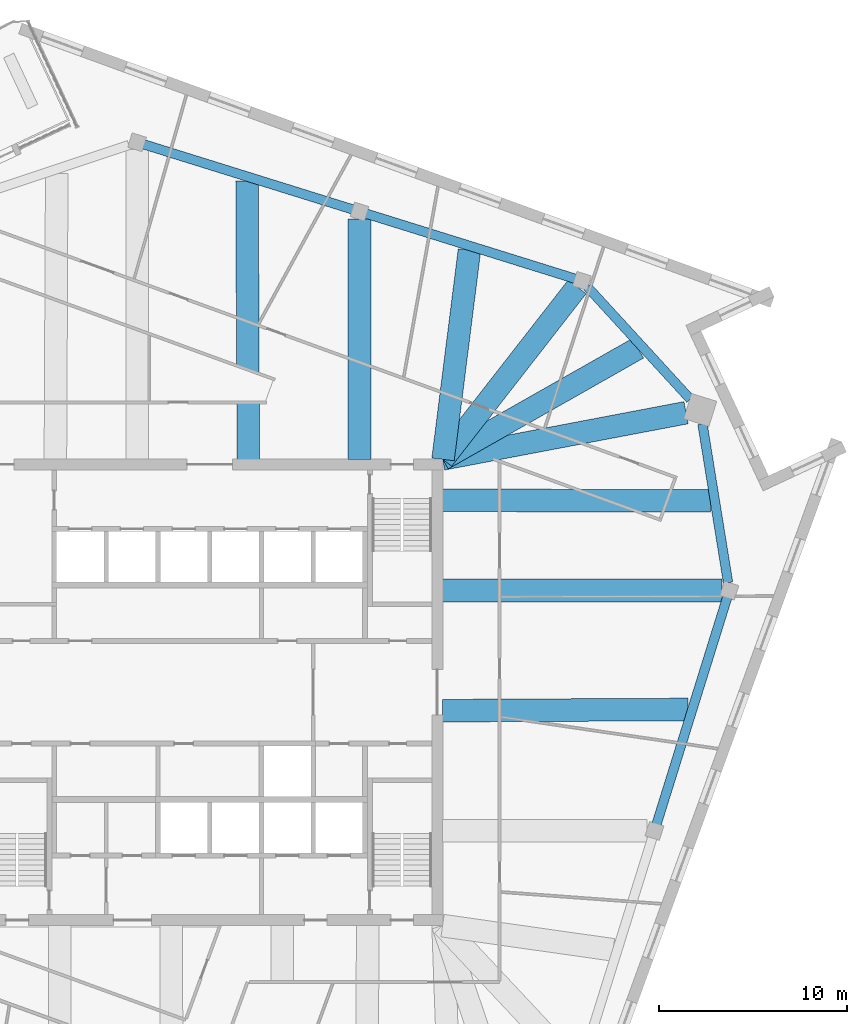
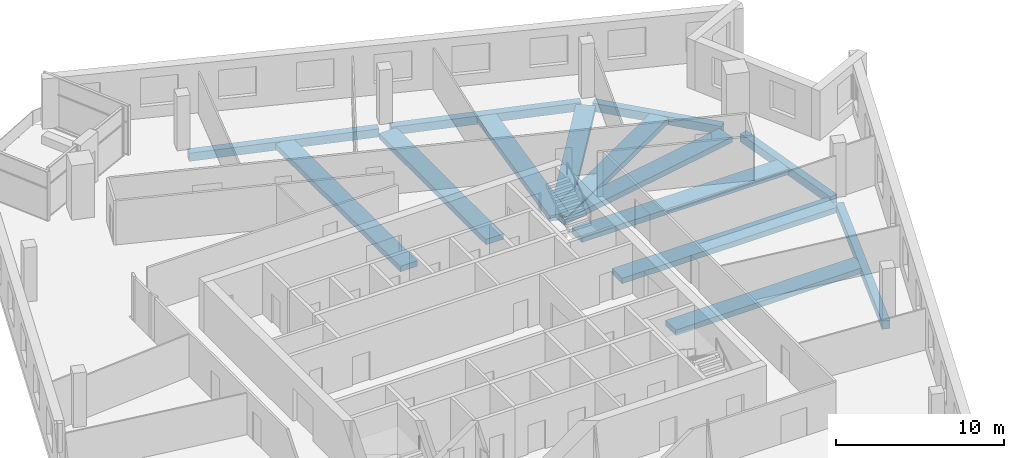
# One storey, part 3 of 13: 14 beams.
"""IFC4 building model written with IfcOpenShell, lengths in metres."""

import ifcopenshell
import ifcopenshell.guid

model = None  # the IFC model being written
_history = None  # IfcOwnerHistory: only IFC2X3 demands one
_inside = {}  # id of a spatial element -> (the spatial element, [elements in it])
_under = {}  # id of a project, library or spatial element -> (it, [spatial elements below it])
_declared = {}  # id of a project -> (the project, [libraries it declares])
_typed = {}  # id of a type object -> (the type object, [elements of that type])
_made_of = {}  # id of a material, layer set ... -> (it, [elements and type objects made of it])


def new_model(schema):
    """Start an empty IFC model of exactly this schema.

    Asked for "IFC4X3", IfcOpenShell would pick the latest addendum, in which some entities
    have other attributes; the version numbers below select the first issue.
    IFC2X3 requires an IfcOwnerHistory on every rooted entity: one is made here for all.
    """
    global model, _history
    if schema == "IFC4X3":
        model = ifcopenshell.file(schema_version=(4, 3, 0, 0))
    else:
        model = ifcopenshell.file(schema=schema)
    _inside.clear()
    _under.clear()
    _declared.clear()
    _typed.clear()
    _made_of.clear()
    _history = None
    if model.schema == "IFC2X3":
        org = make("IfcOrganization", Name="unknown")
        user = make(
            "IfcPersonAndOrganization",
            ThePerson=make("IfcPerson", FamilyName="unknown"),
            TheOrganization=org,
        )
        app = make(
            "IfcApplication",
            ApplicationDeveloper=org,
            Version="unknown",
            ApplicationFullName="unknown",
            ApplicationIdentifier="unknown",
        )
        _history = make(
            "IfcOwnerHistory",
            OwningUser=user,
            OwningApplication=app,
            ChangeAction="ADDED",
            CreationDate=0,
        )
    return model


def make(cls, **values):
    """One entity of the class cls with the attributes given. An attribute that is None is left unset."""
    return model.create_entity(
        cls, **{name: value for name, value in values.items() if value is not None}
    )


def rooted(cls, **values):
    """An entity with a GlobalId (a new one), such as an element, a storey or a relation."""
    return make(cls, GlobalId=ifcopenshell.guid.new(), OwnerHistory=_history, **values)


def si_unit(unit_type, name, prefix=None):
    """IfcSIUnit, for example si_unit("LENGTHUNIT", "METRE", prefix="MILLI")."""
    return make("IfcSIUnit", UnitType=unit_type, Prefix=prefix, Name=name)


def assignment(units):
    """IfcUnitAssignment: the units of a project."""
    return None if units is None else make("IfcUnitAssignment", Units=units)


def point(xyz):
    """IfcCartesianPoint."""
    return None if xyz is None else make("IfcCartesianPoint", Coordinates=xyz)


def direction(xyz):
    """IfcDirection."""
    return None if xyz is None else make("IfcDirection", DirectionRatios=xyz)


def frame(location, z_axis=None, x_axis=None):
    """IfcAxis2Placement3D, a coordinate frame: its origin and axes. An axis left out is left unset."""
    return make(
        "IfcAxis2Placement3D",
        Location=point(location),
        Axis=direction(z_axis),
        RefDirection=direction(x_axis),
    )


def frame_2d(location, x_axis=None):
    """IfcAxis2Placement2D, a coordinate frame in the plane: its origin and x axis."""
    return make(
        "IfcAxis2Placement2D", Location=point(location), RefDirection=direction(x_axis)
    )


def origin():
    """The frame at (0, 0, 0) with its axes left unset."""
    return frame((0.0, 0.0, 0.0))


def origin_2d():
    """The frame at (0, 0) in the plane with its x axis left unset."""
    return frame_2d((0.0, 0.0))


def place(relative_to, where):
    """IfcLocalPlacement: puts the frame where relative to a parent placement (None: the world)."""
    return make(
        "IfcLocalPlacement", PlacementRelTo=relative_to, RelativePlacement=where
    )


def context(
    kind, dimensions, precision=None, world=None, true_north=None, identifier=None
):
    """IfcGeometricRepresentationContext, for example the 3D "Model" context."""
    return make(
        "IfcGeometricRepresentationContext",
        ContextIdentifier=identifier,
        ContextType=kind,
        CoordinateSpaceDimension=dimensions,
        Precision=precision,
        WorldCoordinateSystem=world,
        TrueNorth=true_north,
    )


def subcontext(parent, identifier, kind, view, scale=None):
    """IfcGeometricRepresentationSubContext, for example "Body" below "Model"."""
    return make(
        "IfcGeometricRepresentationSubContext",
        ContextIdentifier=identifier,
        ContextType=kind,
        ParentContext=parent,
        TargetScale=scale,
        TargetView=view,
    )


def project(units=None, contexts=None):
    """IfcProject with its units and contexts."""
    return rooted(
        "IfcProject",
        Name="project",
        RepresentationContexts=contexts,
        UnitsInContext=assignment(units),
    )


def spatial(cls, under=None, at=None, **own):
    """A site, building, storey or space (cls), placed at a placement, below another one or the project."""
    s = rooted(cls, ObjectPlacement=at, **own)
    if under is not None:
        _under.setdefault(under.id(), (under, []))[1].append(s)
    return s


def profile(cls, at=None, kind="AREA", **sizes):
    """A parametric profile (cls). Its sizes go by their IFC names, for example OverallWidth=200.0."""
    return make(cls, ProfileType=kind, Position=at, **sizes)


def rectangle(**sizes):
    """IfcRectangleProfileDef."""
    return profile("IfcRectangleProfileDef", **sizes)


def extrude(swept, where, along, depth):
    """IfcExtrudedAreaSolid: the profile swept, set in the frame where, extruded along a direction by depth."""
    return make(
        "IfcExtrudedAreaSolid",
        SweptArea=swept,
        Position=where,
        ExtrudedDirection=direction(along),
        Depth=depth,
    )


def shape(context_of_items, identifier, shape_type, items):
    """IfcShapeRepresentation: the items that make up one representation, for example the "Body"."""
    return make(
        "IfcShapeRepresentation",
        ContextOfItems=context_of_items,
        RepresentationIdentifier=identifier,
        RepresentationType=shape_type,
        Items=items,
    )


def material(Name=None, Category=None):
    """IfcMaterial."""
    return make("IfcMaterial", Name=Name, Category=Category)


def material_profile(
    of_material, cross_section, Name=None, Category=None, Priority=None
):
    """IfcMaterialProfile: a cross section and its material."""
    return make(
        "IfcMaterialProfile",
        Name=Name,
        Material=of_material,
        Profile=cross_section,
        Priority=Priority,
        Category=Category,
    )


def profile_set(profiles, Name=None, composite=None):
    """IfcMaterialProfileSet."""
    return make(
        "IfcMaterialProfileSet",
        Name=Name,
        MaterialProfiles=profiles,
        CompositeProfile=composite,
    )


def made_of(thing, what):
    """Note that an element or type object is made of a material, layer set ...; save() writes the relation."""
    if what is not None:
        _made_of.setdefault(what.id(), (what, []))[1].append(thing)
    return thing


def type_object(cls, material=None, **own):
    """A type object (cls), such as IfcWallType, which elements share."""
    return made_of(rooted(cls, **own), material)


def element(
    cls,
    number,
    at=None,
    inside=None,
    cuts=None,
    type_object=None,
    material=None,
    context=None,
    identifier="Body",
    shape_type=None,
    held_by="IfcProductDefinitionShape",
    body=None,
    shapes=None,
    **own,
):
    """One element of the class cls, such as IfcWall. Its Tag is "e" and its number.

    at: its placement. inside: the storey or other place that contains it. cuts: it is an
    opening in that element (IfcRelVoidsElement). A single representation is given by context,
    identifier, shape_type and body (its items); several are given by shapes. held_by: the class
    of the entity that holds the representations. save() writes the other relations.
    """
    e = rooted(cls, Tag="e%d" % number, ObjectPlacement=at, **own)
    if body is not None:
        shapes = [shape(context, identifier, shape_type, body)]
    if shapes is not None:
        e.Representation = make(held_by, Representations=shapes)
    if inside is not None:
        _inside.setdefault(inside.id(), (inside, []))[1].append(e)
    if cuts is not None:
        rooted(
            "IfcRelVoidsElement", RelatingBuildingElement=cuts, RelatedOpeningElement=e
        )
    if type_object is not None:
        _typed.setdefault(type_object.id(), (type_object, []))[1].append(e)
    return made_of(e, material)


def aggregate(whole, parts):
    """IfcRelAggregates: a whole, such as a stair, and the parts it consists of."""
    return rooted("IfcRelAggregates", RelatingObject=whole, RelatedObjects=parts)


def save(model, path):
    """Write the relations noted so far, then the file.

    IfcRelAggregates (storeys below a building ...), IfcRelContainedInSpatialStructure (elements
    in a storey), IfcRelDefinesByType, IfcRelAssociatesMaterial and IfcRelDeclares: one each for
    every whole, place, type object, material and project.
    """
    for whole, parts in _under.values():
        aggregate(whole, parts)
    for where, things in _inside.values():
        rooted(
            "IfcRelContainedInSpatialStructure",
            RelatedElements=things,
            RelatingStructure=where,
        )
    for kind, things in _typed.values():
        rooted("IfcRelDefinesByType", RelatedObjects=things, RelatingType=kind)
    for what, things in _made_of.values():
        rooted("IfcRelAssociatesMaterial", RelatedObjects=things, RelatingMaterial=what)
    for by, libraries in _declared.values():
        rooted("IfcRelDeclares", RelatingContext=by, RelatedDefinitions=libraries)
    model.write(path)


model = new_model("IFC4")

# Units and contexts
model_context = context("Model", 3, precision=1e-05, world=origin(), true_north=direction((0.0, 1.0)))
body_context = subcontext(model_context, "Body", "Model", "MODEL_VIEW")
ifc_project = project(units=[si_unit("LENGTHUNIT", "METRE"), si_unit("AREAUNIT", "SQUARE_METRE"), si_unit("VOLUMEUNIT", "CUBIC_METRE"), si_unit("PLANEANGLEUNIT", "RADIAN"), si_unit("MASSUNIT", "GRAM", prefix="KILO")], contexts=[model_context])

# Site, building, storey
site_placement = place(None, origin())
site = spatial("IfcSite", under=ifc_project, at=site_placement, CompositionType="ELEMENT")
building_placement = place(site_placement, origin())
building = spatial("IfcBuilding", under=site, at=building_placement, Name="Dilmun Exchange Tower", CompositionType="ELEMENT")
storey_placement = place(building_placement, frame((0.0, 0.0, 308.5)))
storey = spatial("IfcBuildingStorey", under=building, at=storey_placement, Name="L73", CompositionType="ELEMENT", Elevation=308.5)

# Beams
ifc_material = material(Name="Concrete C40/50", Category="concrete")
ifc_material_profile_1 = material_profile(ifc_material, rectangle(XDim=1.199951171875, YDim=0.39990234375, at=origin_2d()), Name="1200 x 400")
ifc_profile_set_1 = profile_set([ifc_material_profile_1], Name="Concrete C40/50")
beam_type_1 = type_object("IfcBeamType", Name="RC band beam 1200 x 400 C40/50", PredefinedType="BEAM", material=ifc_profile_set_1)
beam_1_placement = place(storey_placement, frame((27.216064453125, 5.406005859375, -0.64990234375), z_axis=(-1.0, 0.0, 0.0), x_axis=(0.0, -1.0, 0.0)))
element("IfcBeam", 1, at=beam_1_placement, inside=storey, type_object=beam_type_1, Name="Band beam 12", PredefinedType="BEAM", context=body_context, shape_type="SweptSolid", body=[
    extrude(rectangle(XDim=1.199951171875, YDim=0.39990234375, at=origin_2d()), origin(), (0.0, 0.0, 1.0), 14.843017578125),
])
beam_2_placement = place(storey_placement, frame((25.30712890625, 14.85205078125, -0.64990234375), z_axis=(-0.982429348436, -0.18663487169, 0.0), x_axis=(0.18663487169, -0.982429348436, 0.0)))
element("IfcBeam", 2, at=beam_2_placement, inside=storey, type_object=beam_type_1, Name="Band beam 13", PredefinedType="BEAM", context=body_context, shape_type="SweptSolid", body=[
    extrude(rectangle(XDim=1.199951171875, YDim=0.39990234375, at=origin_2d()), origin(), (0.0, 0.0, 1.0), 13.164794921875),
])
beam_3_placement = place(storey_placement, frame((19.52685546875, 21.541259765625, -0.64990234375), z_axis=(-0.614856714099, -0.788638840743, 0.0), x_axis=(0.788638840743, -0.614856714099, 0.0)))
element("IfcBeam", 3, at=beam_3_placement, inside=storey, type_object=beam_type_1, Name="Band beam 14", PredefinedType="BEAM", context=body_context, shape_type="SweptSolid", body=[
    extrude(rectangle(XDim=1.199951171875, YDim=0.39990234375, at=origin_2d()), origin(), (0.0, 0.0, 1.0), 11.6181640625),
])
beam_4_placement = place(storey_placement, frame((7.9580078125, 25.14697265625, -0.64990234375), z_axis=(0.0, -1.0, 0.0), x_axis=(1.0, 0.0, 0.0)))
element("IfcBeam", 4, at=beam_4_placement, inside=storey, type_object=beam_type_1, Name="Band beam 15", PredefinedType="BEAM", context=body_context, shape_type="SweptSolid", body=[
    extrude(rectangle(XDim=1.199951171875, YDim=0.39990234375, at=origin_2d()), origin(), (0.0, 0.0, 1.0), 12.77392578125),
])
beam_5_placement = place(storey_placement, frame((25.405517578125, -0.912109375, -0.550048828125), z_axis=(-0.999987018468, -0.005095379798, 0.0), x_axis=(0.005095379798, -0.999987018468, 0.0)))
element("IfcBeam", 5, at=beam_5_placement, inside=storey, type_object=beam_type_1, Name="Band beam 27", PredefinedType="BEAM", context=body_context, shape_type="SweptSolid", body=[
    extrude(rectangle(XDim=1.199951171875, YDim=0.39990234375, at=origin_2d()), origin(), (0.0, 0.0, 1.0), 13.03271484375),
])
beam_6_placement = place(storey_placement, frame((26.614013671875, 10.1650390625, -0.550048828125), z_axis=(-0.999996910379, 0.002485806038, 0.0), x_axis=(-0.002485806038, -0.999996910379, 0.0)))
element("IfcBeam", 6, at=beam_6_placement, inside=storey, type_object=beam_type_1, Name="Band beam 28", PredefinedType="BEAM", context=body_context, shape_type="SweptSolid", body=[
    extrude(rectangle(XDim=1.199951171875, YDim=0.39990234375, at=origin_2d()), origin(), (0.0, 0.0, 1.0), 14.240966796875),
])
beam_7_placement = place(storey_placement, frame((22.752197265625, 18.275390625, -0.550048828125), z_axis=(-0.869690188955, -0.493597989496, 0.0), x_axis=(0.493597989496, -0.869690188955, 0.0)))
element("IfcBeam", 7, at=beam_7_placement, inside=storey, type_object=beam_type_1, Name="Band beam 29", PredefinedType="BEAM", context=body_context, shape_type="SweptSolid", body=[
    extrude(rectangle(XDim=1.199951171875, YDim=0.39990234375, at=origin_2d()), origin(), (0.0, 0.0, 1.0), 11.93017578125),
])
beam_8_placement = place(storey_placement, frame((13.79931640625, 23.485107421875, -0.550048828125), z_axis=(-0.125252659456, -0.992124876867, 0.0), x_axis=(0.992124876867, -0.125252659456, 0.0)))
element("IfcBeam", 8, at=beam_8_placement, inside=storey, type_object=beam_type_1, Name="Band beam 30", PredefinedType="BEAM", context=body_context, shape_type="SweptSolid", body=[
    extrude(rectangle(XDim=1.199951171875, YDim=0.39990234375, at=origin_2d()), origin(), (0.0, 0.0, 1.0), 11.199951171875),
])
beam_9_placement = place(storey_placement, frame((1.984619140625, 27.16650390625, -0.550048828125), z_axis=(0.004488848064, -0.999989925071, 0.0), x_axis=(0.999989925071, 0.004488848064, 0.0)))
element("IfcBeam", 9, at=beam_9_placement, inside=storey, type_object=beam_type_1, Name="Band beam 31", PredefinedType="BEAM", context=body_context, shape_type="SweptSolid", body=[
    extrude(rectangle(XDim=1.199951171875, YDim=0.39990234375, at=origin_2d()), origin(), (0.0, 0.0, 1.0), 14.793701171875),
])
ifc_material_profile_2 = material_profile(ifc_material, rectangle(XDim=0.5, YDim=0.60009765625, at=origin_2d()), Name="500 x 600")
ifc_profile_set_2 = profile_set([ifc_material_profile_2], Name="Concrete C40/50")
beam_type_2 = type_object("IfcBeamType", Name="RC ring beam 500 x 600 C40/50", PredefinedType="SPANDREL", material=ifc_profile_set_2)
beam_10_placement = place(storey_placement, frame((23.739990234375, -7.0068359375, -0.64990234375), z_axis=(0.297508749799, 0.954719091562, 0.0), x_axis=(-0.954719091562, 0.297508749799, 0.0)))
element("IfcBeam", 10, at=beam_10_placement, inside=storey, type_object=beam_type_2, Name="Ring beam 11", PredefinedType="SPANDREL", context=body_context, shape_type="SweptSolid", body=[
    extrude(rectangle(XDim=0.5, YDim=0.60009765625, at=origin_2d()), origin(), (0.0, 0.0, 1.0), 12.62841796875),
])
beam_11_placement = place(storey_placement, frame((27.541015625, 5.820556640625, -0.64990234375), z_axis=(-0.159356501233, 0.987221102649, 0.0), x_axis=(-0.987221102649, -0.159356501233, 0.0)))
element("IfcBeam", 11, at=beam_11_placement, inside=storey, type_object=beam_type_2, Name="Ring beam 12", PredefinedType="SPANDREL", context=body_context, shape_type="SweptSolid", body=[
    extrude(rectangle(XDim=0.5, YDim=0.60009765625, at=origin_2d()), origin(), (0.0, 0.0, 1.0), 8.5380859375),
])
beam_12_placement = place(storey_placement, frame((25.531005859375, 15.572265625, -0.64990234375), z_axis=(-0.675535971399, 0.737327031476, 0.0), x_axis=(-0.737327031476, -0.675535971399, 0.0)))
element("IfcBeam", 12, at=beam_12_placement, inside=storey, type_object=beam_type_2, Name="Ring beam 13", PredefinedType="SPANDREL", context=body_context, shape_type="SweptSolid", body=[
    extrude(rectangle(XDim=0.5, YDim=0.60009765625, at=origin_2d()), origin(), (0.0, 0.0, 1.0), 8.087890625),
])
beam_13_placement = place(storey_placement, frame((19.4169921875, 21.968017578125, -0.64990234375), z_axis=(-0.95471613385, 0.297518241065, 0.0), x_axis=(-0.297518241065, -0.95471613385, 0.0)))
element("IfcBeam", 13, at=beam_13_placement, inside=storey, type_object=beam_type_2, Name="Ring beam 14", PredefinedType="SPANDREL", context=body_context, shape_type="SweptSolid", body=[
    extrude(rectangle(XDim=0.5, YDim=0.60009765625, at=origin_2d()), origin(), (0.0, 0.0, 1.0), 11.62939453125),
])
beam_14_placement = place(storey_placement, frame((7.601806640625, 25.64990234375, -0.64990234375), z_axis=(-0.954732553331, 0.297465546931, 0.0), x_axis=(-0.297465546931, -0.954732553331, 0.0)))
element("IfcBeam", 14, at=beam_14_placement, inside=storey, type_object=beam_type_2, Name="Ring beam 15", PredefinedType="SPANDREL", context=body_context, shape_type="SweptSolid", body=[
    extrude(rectangle(XDim=0.5, YDim=0.60009765625, at=origin_2d()), origin(), (0.0, 0.0, 1.0), 11.628173828125),
])

save(model, "model.ifc")
